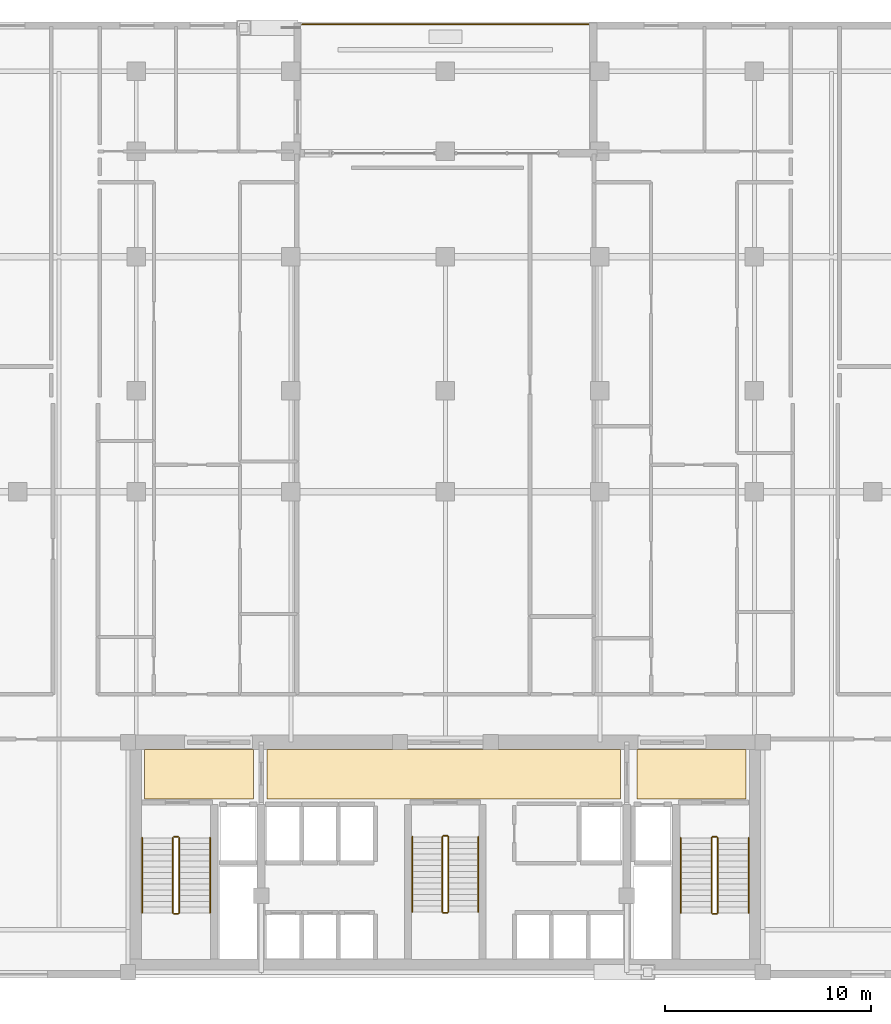
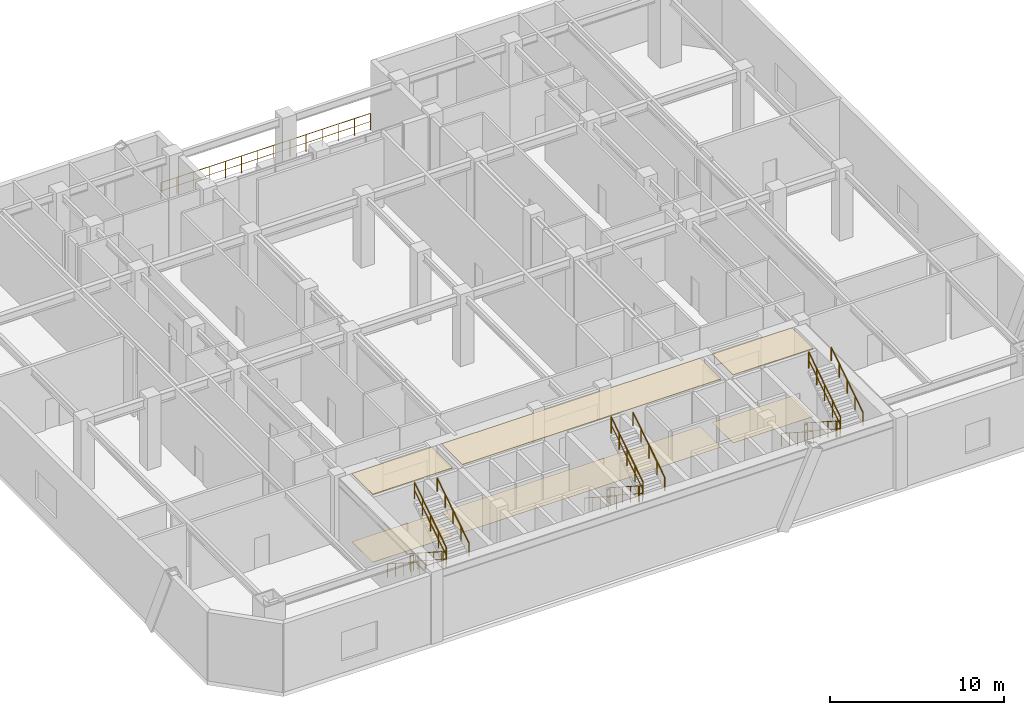
# One storey, part 12 of 12: 19 railings, 6 coverings.
"""IFC4 building model written with IfcOpenShell, lengths in metres."""

from ifc_helpers import new_model, si_unit, direction, frame, origin, origin_2d, place, context, subcontext, project, spatial, polyline, circle, outline, extrude, material, layer, layer_set, type_object, element, save


model = new_model("IFC4")

# Units and contexts
model_context = context("Model", 3, precision=1e-05, world=origin(), true_north=direction((0.0, 1.0)))
body_context = subcontext(model_context, "Body", "Model", "MODEL_VIEW")
ifc_project = project(units=[si_unit("LENGTHUNIT", "METRE"), si_unit("AREAUNIT", "SQUARE_METRE"), si_unit("VOLUMEUNIT", "CUBIC_METRE"), si_unit("PLANEANGLEUNIT", "RADIAN"), si_unit("MASSUNIT", "GRAM", prefix="KILO")], contexts=[model_context])

# Site, building, storey
site_placement = place(None, origin())
site = spatial("IfcSite", under=ifc_project, at=site_placement, CompositionType="ELEMENT")
building_placement = place(site_placement, origin())
building = spatial("IfcBuilding", under=site, at=building_placement, Name="Ventersveld Concourse Tower", CompositionType="ELEMENT")
storey_placement = place(building_placement, frame((0.0, 0.0, 76.0)))
storey = spatial("IfcBuildingStorey", under=building, at=storey_placement, Name="L18", CompositionType="ELEMENT", Elevation=76.0)

# Coverings
ifc_material_1 = material(Name="Mineral-fibre acoustic ceiling tile", Category="gypsum")
ifc_layer_1 = layer(ifc_material_1, 0.0400390625)
ifc_layer_set_1 = layer_set([ifc_layer_1], Name="Mineral-fibre acoustic ceiling tile")
covering_type_1 = type_object("IfcCoveringType", Name="COV-CEIL-ACOUSTIC", PredefinedType="CEILING", material=ifc_layer_set_1)
covering_1_placement = place(storey_placement, frame((0.0, 0.0, 4.760009765625)))
element("IfcCovering", 1, at=covering_1_placement, inside=storey, type_object=covering_type_1, Name="L18 North Lift Lobby Acoustic Ceiling", PredefinedType="CEILING", context=body_context, shape_type="SweptSolid", body=[
    extrude(outline(polyline([(20.10009765625, 8.699951171875), (37.25, 8.699951171875), (37.25, 11.10009765625), (20.10009765625, 11.10009765625), (20.10009765625, 8.699951171875)])), origin(), (0.0, 0.0, 1.0), 0.0400390625),
])
covering_2_placement = place(storey_placement, frame((0.0, 0.0, 4.760009765625)))
element("IfcCovering", 2, at=covering_2_placement, inside=storey, type_object=covering_type_1, Name="L18 West Firefighting Lobby Acoustic Ceiling", PredefinedType="CEILING", context=body_context, shape_type="SweptSolid", body=[
    extrude(outline(polyline([(14.14990234375, 8.699951171875), (19.449951171875, 8.699951171875), (19.449951171875, 11.10009765625), (14.14990234375, 11.10009765625), (14.14990234375, 8.699951171875)])), origin(), (0.0, 0.0, 1.0), 0.0400390625),
])
covering_3_placement = place(storey_placement, frame((0.0, 0.0, 4.760009765625)))
element("IfcCovering", 3, at=covering_3_placement, inside=storey, type_object=covering_type_1, Name="L18 East Firefighting Lobby Acoustic Ceiling", PredefinedType="CEILING", context=body_context, shape_type="SweptSolid", body=[
    extrude(outline(polyline([(38.050048828125, 8.699951171875), (43.35009765625, 8.699951171875), (43.35009765625, 11.10009765625), (38.050048828125, 11.10009765625), (38.050048828125, 8.699951171875)])), origin(), (0.0, 0.0, 1.0), 0.0400390625),
])
ifc_material_2 = material(Name="Polished Highveld granite terrazzo", Category="masonry")
ifc_layer_2 = layer(ifc_material_2, 0.02001953125)
ifc_layer_set_2 = layer_set([ifc_layer_2], Name="Polished Highveld granite terrazzo")
covering_type_2 = type_object("IfcCoveringType", Name="COV-FLOOR-TERRAZZO", PredefinedType="FLOORING", material=ifc_layer_set_2)
covering_4_placement = place(storey_placement, origin())
element("IfcCovering", 4, at=covering_4_placement, inside=storey, type_object=covering_type_2, Name="L18 North Lift Lobby Terrazzo Flooring", PredefinedType="FLOORING", context=body_context, shape_type="SweptSolid", body=[
    extrude(outline(polyline([(20.10009765625, 8.699951171875), (37.25, 8.699951171875), (37.25, 11.10009765625), (20.10009765625, 11.10009765625), (20.10009765625, 8.699951171875)])), origin(), (0.0, 0.0, 1.0), 0.02001953125),
])
covering_5_placement = place(storey_placement, origin())
element("IfcCovering", 5, at=covering_5_placement, inside=storey, type_object=covering_type_2, Name="L18 West Firefighting Lobby Terrazzo Flooring", PredefinedType="FLOORING", context=body_context, shape_type="SweptSolid", body=[
    extrude(outline(polyline([(14.14990234375, 8.699951171875), (19.449951171875, 8.699951171875), (19.449951171875, 11.10009765625), (14.14990234375, 11.10009765625), (14.14990234375, 8.699951171875)])), origin(), (0.0, 0.0, 1.0), 0.02001953125),
])
covering_6_placement = place(storey_placement, origin())
element("IfcCovering", 6, at=covering_6_placement, inside=storey, type_object=covering_type_2, Name="L18 East Firefighting Lobby Terrazzo Flooring", PredefinedType="FLOORING", context=body_context, shape_type="SweptSolid", body=[
    extrude(outline(polyline([(38.050048828125, 8.699951171875), (43.35009765625, 8.699951171875), (43.35009765625, 11.10009765625), (38.050048828125, 11.10009765625), (38.050048828125, 8.699951171875)])), origin(), (0.0, 0.0, 1.0), 0.02001953125),
])

# Railings
ifc_material_3 = material(Name="Brushed stainless steel 316", Category="steel")
railing_type_1 = type_object("IfcRailingType", Name="GD-BAL-115", PredefinedType="GUARDRAIL", material=ifc_material_3)
railing_1_placement = place(storey_placement, frame((15.530029296875, 6.800048828125, 0.180419921875)))
element("IfcRailing", 7, at=railing_1_placement, inside=storey, type_object=railing_type_1, Name="L18 ST-01 stair guard 1", PredefinedType="GUARDRAIL", context=body_context, shape_type="SweptSolid", body=[
    extrude(circle(Radius=0.02392578125, at=origin_2d()), frame((0.0, 0.0, 1.1259765625), z_axis=(0.0, -0.840716495035, 0.541475553442), x_axis=(1.0, 0.0, 0.0)), (0.0, 0.0, 1.0), 4.329833984375),
    extrude(circle(Radius=0.01611328125, at=origin_2d()), frame((0.0, 0.0, 0.574951171875), z_axis=(0.0, -0.840716495035, 0.541475553442), x_axis=(1.0, 0.0, 0.0)), (0.0, 0.0, 1.0), 4.329833984375),
    extrude(circle(Radius=0.02099609375, at=origin_2d()), origin(), (0.0, 0.0, 1.0), 1.101806640625),
    extrude(circle(Radius=0.02099609375, at=origin_2d()), frame((0.0, -0.91015625, 0.586181640625)), (0.0, 0.0, 1.0), 1.101806640625),
    extrude(circle(Radius=0.02099609375, at=origin_2d()), frame((0.0, -1.820068359375, 1.17236328125)), (0.0, 0.0, 1.0), 1.101806640625),
    extrude(circle(Radius=0.02099609375, at=origin_2d()), frame((0.0, -2.72998046875, 1.75830078125)), (0.0, 0.0, 1.0), 1.101806640625),
    extrude(circle(Radius=0.02099609375, at=origin_2d()), frame((0.0, -3.64013671875, 2.344482421875)), (0.0, 0.0, 1.0), 1.101806640625),
])
railing_2_placement = place(storey_placement, frame((15.580078125, 3.110107421875, 2.52490234375)))
element("IfcRailing", 8, at=railing_2_placement, inside=storey, type_object=railing_type_1, Name="L18 ST-01 stair guard 2", PredefinedType="GUARDRAIL", context=body_context, shape_type="SweptSolid", body=[
    extrude(circle(Radius=0.02392578125, at=origin_2d()), frame((0.0, 0.0, 1.1259765625), z_axis=(1.0, 0.0, 0.0), x_axis=(0.0, 1.0, 0.0)), (0.0, 0.0, 1.0), 0.199951171875),
    extrude(circle(Radius=0.01611328125, at=origin_2d()), frame((0.0, 0.0, 0.574951171875), z_axis=(1.0, 0.0, 0.0), x_axis=(0.0, 1.0, 0.0)), (0.0, 0.0, 1.0), 0.199951171875),
    extrude(circle(Radius=0.02099609375, at=origin_2d()), origin(), (0.0, 0.0, 1.0), 1.101806640625),
    extrude(circle(Radius=0.02099609375, at=origin_2d()), frame((0.199951171875, 0.0, 0.0)), (0.0, 0.0, 1.0), 1.101806640625),
])
railing_3_placement = place(storey_placement, frame((15.830078125, 3.159912109375, 2.705322265625)))
element("IfcRailing", 9, at=railing_3_placement, inside=storey, type_object=railing_type_1, Name="L18 ST-01 stair guard 3", PredefinedType="GUARDRAIL", context=body_context, shape_type="SweptSolid", body=[
    extrude(circle(Radius=0.02392578125, at=origin_2d()), frame((0.0, 0.0, 1.1259765625), z_axis=(0.0, 0.840690826383, 0.541515405539), x_axis=(-1.0, 0.0, 0.0)), (0.0, 0.0, 1.0), 4.329833984375),
    extrude(circle(Radius=0.01611328125, at=origin_2d()), frame((0.0, 0.0, 0.574951171875), z_axis=(0.0, 0.840690826383, 0.541515405539), x_axis=(-1.0, 0.0, 0.0)), (0.0, 0.0, 1.0), 4.329833984375),
    extrude(circle(Radius=0.02099609375, at=origin_2d()), origin(), (0.0, 0.0, 1.0), 1.101806640625),
    extrude(circle(Radius=0.02099609375, at=origin_2d()), frame((0.0, 0.91015625, 0.586181640625)), (0.0, 0.0, 1.0), 1.101806640625),
    extrude(circle(Radius=0.02099609375, at=origin_2d()), frame((0.0, 1.820068359375, 1.17236328125)), (0.0, 0.0, 1.0), 1.101806640625),
    extrude(circle(Radius=0.02099609375, at=origin_2d()), frame((0.0, 2.72998046875, 1.758544921875)), (0.0, 0.0, 1.0), 1.101806640625),
    extrude(circle(Radius=0.02099609375, at=origin_2d()), frame((0.0, 3.64013671875, 2.3447265625)), (0.0, 0.0, 1.0), 1.101806640625),
])
railing_4_placement = place(storey_placement, frame((15.580078125, 6.85009765625, 0.0)))
element("IfcRailing", 10, at=railing_4_placement, inside=storey, type_object=railing_type_1, Name="L18 ST-01 stair guard 4", PredefinedType="GUARDRAIL", context=body_context, shape_type="SweptSolid", body=[
    extrude(circle(Radius=0.02392578125, at=origin_2d()), frame((0.0, 0.0, 1.1259765625), z_axis=(1.0, 0.0, 0.0), x_axis=(0.0, 1.0, 0.0)), (0.0, 0.0, 1.0), 0.199951171875),
    extrude(circle(Radius=0.01611328125, at=origin_2d()), frame((0.0, 0.0, 0.574951171875), z_axis=(1.0, 0.0, 0.0), x_axis=(0.0, 1.0, 0.0)), (0.0, 0.0, 1.0), 0.199951171875),
    extrude(circle(Radius=0.02099609375, at=origin_2d()), origin(), (0.0, 0.0, 1.0), 1.101806640625),
    extrude(circle(Radius=0.02099609375, at=origin_2d()), frame((0.199951171875, 0.0, 0.0)), (0.0, 0.0, 1.0), 1.101806640625),
])
railing_5_placement = place(storey_placement, frame((41.669921875, 6.800048828125, 0.180419921875)))
element("IfcRailing", 11, at=railing_5_placement, inside=storey, type_object=railing_type_1, Name="L18 ST-02 stair guard 1", PredefinedType="GUARDRAIL", context=body_context, shape_type="SweptSolid", body=[
    extrude(circle(Radius=0.02392578125, at=origin_2d()), frame((0.0, 0.0, 1.1259765625), z_axis=(0.0, -0.840716495035, 0.541475553442), x_axis=(1.0, 0.0, 0.0)), (0.0, 0.0, 1.0), 4.329833984375),
    extrude(circle(Radius=0.01611328125, at=origin_2d()), frame((0.0, 0.0, 0.574951171875), z_axis=(0.0, -0.840716495035, 0.541475553442), x_axis=(1.0, 0.0, 0.0)), (0.0, 0.0, 1.0), 4.329833984375),
    extrude(circle(Radius=0.02099609375, at=origin_2d()), origin(), (0.0, 0.0, 1.0), 1.101806640625),
    extrude(circle(Radius=0.02099609375, at=origin_2d()), frame((0.0, -0.91015625, 0.586181640625)), (0.0, 0.0, 1.0), 1.101806640625),
    extrude(circle(Radius=0.02099609375, at=origin_2d()), frame((0.0, -1.820068359375, 1.17236328125)), (0.0, 0.0, 1.0), 1.101806640625),
    extrude(circle(Radius=0.02099609375, at=origin_2d()), frame((0.0, -2.72998046875, 1.75830078125)), (0.0, 0.0, 1.0), 1.101806640625),
    extrude(circle(Radius=0.02099609375, at=origin_2d()), frame((0.0, -3.64013671875, 2.344482421875)), (0.0, 0.0, 1.0), 1.101806640625),
])
railing_6_placement = place(storey_placement, frame((41.719970703125, 3.110107421875, 2.52490234375)))
element("IfcRailing", 12, at=railing_6_placement, inside=storey, type_object=railing_type_1, Name="L18 ST-02 stair guard 2", PredefinedType="GUARDRAIL", context=body_context, shape_type="SweptSolid", body=[
    extrude(circle(Radius=0.02392578125, at=origin_2d()), frame((0.0, 0.0, 1.1259765625), z_axis=(1.0, 0.0, 0.0), x_axis=(0.0, 1.0, 0.0)), (0.0, 0.0, 1.0), 0.199951171875),
    extrude(circle(Radius=0.01611328125, at=origin_2d()), frame((0.0, 0.0, 0.574951171875), z_axis=(1.0, 0.0, 0.0), x_axis=(0.0, 1.0, 0.0)), (0.0, 0.0, 1.0), 0.199951171875),
    extrude(circle(Radius=0.02099609375, at=origin_2d()), origin(), (0.0, 0.0, 1.0), 1.101806640625),
    extrude(circle(Radius=0.02099609375, at=origin_2d()), frame((0.199951171875, 0.0, 0.0)), (0.0, 0.0, 1.0), 1.101806640625),
])
railing_7_placement = place(storey_placement, frame((41.969970703125, 3.159912109375, 2.705322265625)))
element("IfcRailing", 13, at=railing_7_placement, inside=storey, type_object=railing_type_1, Name="L18 ST-02 stair guard 3", PredefinedType="GUARDRAIL", context=body_context, shape_type="SweptSolid", body=[
    extrude(circle(Radius=0.02392578125, at=origin_2d()), frame((0.0, 0.0, 1.1259765625), z_axis=(0.0, 0.840690826383, 0.541515405539), x_axis=(-1.0, 0.0, 0.0)), (0.0, 0.0, 1.0), 4.329833984375),
    extrude(circle(Radius=0.01611328125, at=origin_2d()), frame((0.0, 0.0, 0.574951171875), z_axis=(0.0, 0.840690826383, 0.541515405539), x_axis=(-1.0, 0.0, 0.0)), (0.0, 0.0, 1.0), 4.329833984375),
    extrude(circle(Radius=0.02099609375, at=origin_2d()), origin(), (0.0, 0.0, 1.0), 1.101806640625),
    extrude(circle(Radius=0.02099609375, at=origin_2d()), frame((0.0, 0.91015625, 0.586181640625)), (0.0, 0.0, 1.0), 1.101806640625),
    extrude(circle(Radius=0.02099609375, at=origin_2d()), frame((0.0, 1.820068359375, 1.17236328125)), (0.0, 0.0, 1.0), 1.101806640625),
    extrude(circle(Radius=0.02099609375, at=origin_2d()), frame((0.0, 2.72998046875, 1.758544921875)), (0.0, 0.0, 1.0), 1.101806640625),
    extrude(circle(Radius=0.02099609375, at=origin_2d()), frame((0.0, 3.64013671875, 2.3447265625)), (0.0, 0.0, 1.0), 1.101806640625),
])
railing_8_placement = place(storey_placement, frame((41.719970703125, 6.85009765625, 0.0)))
element("IfcRailing", 14, at=railing_8_placement, inside=storey, type_object=railing_type_1, Name="L18 ST-02 stair guard 4", PredefinedType="GUARDRAIL", context=body_context, shape_type="SweptSolid", body=[
    extrude(circle(Radius=0.02392578125, at=origin_2d()), frame((0.0, 0.0, 1.1259765625), z_axis=(1.0, 0.0, 0.0), x_axis=(0.0, 1.0, 0.0)), (0.0, 0.0, 1.0), 0.199951171875),
    extrude(circle(Radius=0.01611328125, at=origin_2d()), frame((0.0, 0.0, 0.574951171875), z_axis=(1.0, 0.0, 0.0), x_axis=(0.0, 1.0, 0.0)), (0.0, 0.0, 1.0), 0.199951171875),
    extrude(circle(Radius=0.02099609375, at=origin_2d()), origin(), (0.0, 0.0, 1.0), 1.101806640625),
    extrude(circle(Radius=0.02099609375, at=origin_2d()), frame((0.199951171875, 0.0, 0.0)), (0.0, 0.0, 1.0), 1.101806640625),
])
railing_9_placement = place(storey_placement, frame((28.60009765625, 6.85009765625, 0.180419921875)))
element("IfcRailing", 15, at=railing_9_placement, inside=storey, type_object=railing_type_1, Name="L18 ST-03 stair guard 1", PredefinedType="GUARDRAIL", context=body_context, shape_type="SweptSolid", body=[
    extrude(circle(Radius=0.02392578125, at=origin_2d()), frame((0.0, 0.0, 1.1259765625), z_axis=(0.0, -0.840716495035, 0.541475553442), x_axis=(1.0, 0.0, 0.0)), (0.0, 0.0, 1.0), 4.329833984375),
    extrude(circle(Radius=0.01611328125, at=origin_2d()), frame((0.0, 0.0, 0.574951171875), z_axis=(0.0, -0.840716495035, 0.541475553442), x_axis=(1.0, 0.0, 0.0)), (0.0, 0.0, 1.0), 4.329833984375),
    extrude(circle(Radius=0.02099609375, at=origin_2d()), origin(), (0.0, 0.0, 1.0), 1.101806640625),
    extrude(circle(Radius=0.02099609375, at=origin_2d()), frame((0.0, -0.91015625, 0.586181640625)), (0.0, 0.0, 1.0), 1.101806640625),
    extrude(circle(Radius=0.02099609375, at=origin_2d()), frame((0.0, -1.820068359375, 1.17236328125)), (0.0, 0.0, 1.0), 1.101806640625),
    extrude(circle(Radius=0.02099609375, at=origin_2d()), frame((0.0, -2.72998046875, 1.75830078125)), (0.0, 0.0, 1.0), 1.101806640625),
    extrude(circle(Radius=0.02099609375, at=origin_2d()), frame((0.0, -3.64013671875, 2.344482421875)), (0.0, 0.0, 1.0), 1.101806640625),
])
railing_10_placement = place(storey_placement, frame((28.64990234375, 3.159912109375, 2.52490234375)))
element("IfcRailing", 16, at=railing_10_placement, inside=storey, type_object=railing_type_1, Name="L18 ST-03 stair guard 2", PredefinedType="GUARDRAIL", context=body_context, shape_type="SweptSolid", body=[
    extrude(circle(Radius=0.02392578125, at=origin_2d()), frame((0.0, 0.0, 1.1259765625), z_axis=(1.0, 0.0, 0.0), x_axis=(0.0, 1.0, 0.0)), (0.0, 0.0, 1.0), 0.2001953125),
    extrude(circle(Radius=0.01611328125, at=origin_2d()), frame((0.0, 0.0, 0.574951171875), z_axis=(1.0, 0.0, 0.0), x_axis=(0.0, 1.0, 0.0)), (0.0, 0.0, 1.0), 0.2001953125),
    extrude(circle(Radius=0.02099609375, at=origin_2d()), origin(), (0.0, 0.0, 1.0), 1.101806640625),
    extrude(circle(Radius=0.02099609375, at=origin_2d()), frame((0.2001953125, 0.0, 0.0)), (0.0, 0.0, 1.0), 1.101806640625),
])
railing_11_placement = place(storey_placement, frame((28.89990234375, 3.2099609375, 2.705322265625)))
element("IfcRailing", 17, at=railing_11_placement, inside=storey, type_object=railing_type_1, Name="L18 ST-03 stair guard 3", PredefinedType="GUARDRAIL", context=body_context, shape_type="SweptSolid", body=[
    extrude(circle(Radius=0.02392578125, at=origin_2d()), frame((0.0, 0.0, 1.1259765625), z_axis=(0.0, 0.840690826383, 0.541515405539), x_axis=(-1.0, 0.0, 0.0)), (0.0, 0.0, 1.0), 4.329833984375),
    extrude(circle(Radius=0.01611328125, at=origin_2d()), frame((0.0, 0.0, 0.574951171875), z_axis=(0.0, 0.840690826383, 0.541515405539), x_axis=(-1.0, 0.0, 0.0)), (0.0, 0.0, 1.0), 4.329833984375),
    extrude(circle(Radius=0.02099609375, at=origin_2d()), origin(), (0.0, 0.0, 1.0), 1.101806640625),
    extrude(circle(Radius=0.02099609375, at=origin_2d()), frame((0.0, 0.91015625, 0.586181640625)), (0.0, 0.0, 1.0), 1.101806640625),
    extrude(circle(Radius=0.02099609375, at=origin_2d()), frame((0.0, 1.820068359375, 1.17236328125)), (0.0, 0.0, 1.0), 1.101806640625),
    extrude(circle(Radius=0.02099609375, at=origin_2d()), frame((0.0, 2.72998046875, 1.758544921875)), (0.0, 0.0, 1.0), 1.101806640625),
    extrude(circle(Radius=0.02099609375, at=origin_2d()), frame((0.0, 3.64013671875, 2.3447265625)), (0.0, 0.0, 1.0), 1.101806640625),
])
railing_12_placement = place(storey_placement, frame((28.64990234375, 6.89990234375, 0.0)))
element("IfcRailing", 18, at=railing_12_placement, inside=storey, type_object=railing_type_1, Name="L18 ST-03 stair guard 4", PredefinedType="GUARDRAIL", context=body_context, shape_type="SweptSolid", body=[
    extrude(circle(Radius=0.02392578125, at=origin_2d()), frame((0.0, 0.0, 1.1259765625), z_axis=(1.0, 0.0, 0.0), x_axis=(0.0, 1.0, 0.0)), (0.0, 0.0, 1.0), 0.2001953125),
    extrude(circle(Radius=0.01611328125, at=origin_2d()), frame((0.0, 0.0, 0.574951171875), z_axis=(1.0, 0.0, 0.0), x_axis=(0.0, 1.0, 0.0)), (0.0, 0.0, 1.0), 0.2001953125),
    extrude(circle(Radius=0.02099609375, at=origin_2d()), origin(), (0.0, 0.0, 1.0), 1.101806640625),
    extrude(circle(Radius=0.02099609375, at=origin_2d()), frame((0.2001953125, 0.0, 0.0)), (0.0, 0.0, 1.0), 1.101806640625),
])
railing_type_2 = type_object("IfcRailingType", Name="GD-TER-120", PredefinedType="GUARDRAIL", material=ifc_material_3)
railing_13_placement = place(storey_placement, frame((21.800048828125, 46.280029296875, 0.0)))
element("IfcRailing", 19, at=railing_13_placement, inside=storey, type_object=railing_type_2, Name="L18 Outdoor Terrace Guardrail SKYGARDEN", PredefinedType="GUARDRAIL", context=body_context, shape_type="SweptSolid", body=[
    extrude(circle(Radius=0.02392578125, at=origin_2d()), frame((0.0, 0.0, 1.17578125), z_axis=(1.0, 0.0, 0.0), x_axis=(0.0, 1.0, 0.0)), (0.0, 0.0, 1.0), 13.89990234375),
    extrude(circle(Radius=0.01611328125, at=origin_2d()), frame((0.0, 0.0, 0.60009765625), z_axis=(1.0, 0.0, 0.0), x_axis=(0.0, 1.0, 0.0)), (0.0, 0.0, 1.0), 13.89990234375),
    extrude(circle(Radius=0.02099609375, at=origin_2d()), origin(), (0.0, 0.0, 1.0), 1.15185546875),
    extrude(circle(Radius=0.02099609375, at=origin_2d()), frame((1.0693359375, 0.0, 0.0)), (0.0, 0.0, 1.0), 1.15185546875),
    extrude(circle(Radius=0.02099609375, at=origin_2d()), frame((2.138427734375, 0.0, 0.0)), (0.0, 0.0, 1.0), 1.15185546875),
    extrude(circle(Radius=0.02099609375, at=origin_2d()), frame((3.207763671875, 0.0, 0.0)), (0.0, 0.0, 1.0), 1.15185546875),
    extrude(circle(Radius=0.02099609375, at=origin_2d()), frame((4.27685546875, 0.0, 0.0)), (0.0, 0.0, 1.0), 1.15185546875),
    extrude(circle(Radius=0.02099609375, at=origin_2d()), frame((5.34619140625, 0.0, 0.0)), (0.0, 0.0, 1.0), 1.15185546875),
    extrude(circle(Radius=0.02099609375, at=origin_2d()), frame((6.415283203125, 0.0, 0.0)), (0.0, 0.0, 1.0), 1.15185546875),
    extrude(circle(Radius=0.02099609375, at=origin_2d()), frame((7.484619140625, 0.0, 0.0)), (0.0, 0.0, 1.0), 1.15185546875),
    extrude(circle(Radius=0.02099609375, at=origin_2d()), frame((8.5537109375, 0.0, 0.0)), (0.0, 0.0, 1.0), 1.15185546875),
    extrude(circle(Radius=0.02099609375, at=origin_2d()), frame((9.623046875, 0.0, 0.0)), (0.0, 0.0, 1.0), 1.15185546875),
    extrude(circle(Radius=0.02099609375, at=origin_2d()), frame((10.692138671875, 0.0, 0.0)), (0.0, 0.0, 1.0), 1.15185546875),
    extrude(circle(Radius=0.02099609375, at=origin_2d()), frame((11.761474609375, 0.0, 0.0)), (0.0, 0.0, 1.0), 1.15185546875),
    extrude(circle(Radius=0.02099609375, at=origin_2d()), frame((12.83056640625, 0.0, 0.0)), (0.0, 0.0, 1.0), 1.15185546875),
    extrude(circle(Radius=0.02099609375, at=origin_2d()), frame((13.89990234375, 0.0, 0.0)), (0.0, 0.0, 1.0), 1.15185546875),
])
railing_type_3 = type_object("IfcRailingType", Name="HR-RMP-095", PredefinedType="HANDRAIL", material=ifc_material_3)
railing_14_placement = place(storey_placement, frame((14.030029296875, 6.800048828125, 0.180419921875)))
element("IfcRailing", 20, at=railing_14_placement, inside=storey, type_object=railing_type_3, Name="L18 ST-01 stair handrail 1", PredefinedType="HANDRAIL", context=body_context, shape_type="SweptSolid", body=[
    extrude(circle(Radius=0.02392578125, at=origin_2d()), frame((0.0, 0.0, 0.92578125), z_axis=(0.0, -0.840716495035, 0.541475553442), x_axis=(1.0, 0.0, 0.0)), (0.0, 0.0, 1.0), 4.329833984375),
    extrude(circle(Radius=0.02099609375, at=origin_2d()), origin(), (0.0, 0.0, 1.0), 0.90185546875),
    extrude(circle(Radius=0.02099609375, at=origin_2d()), frame((0.0, -0.91015625, 0.586181640625)), (0.0, 0.0, 1.0), 0.90185546875),
    extrude(circle(Radius=0.02099609375, at=origin_2d()), frame((0.0, -1.820068359375, 1.17236328125)), (0.0, 0.0, 1.0), 0.90185546875),
    extrude(circle(Radius=0.02099609375, at=origin_2d()), frame((0.0, -2.72998046875, 1.75830078125)), (0.0, 0.0, 1.0), 0.90185546875),
    extrude(circle(Radius=0.02099609375, at=origin_2d()), frame((0.0, -3.64013671875, 2.344482421875)), (0.0, 0.0, 1.0), 0.90185546875),
])
railing_15_placement = place(storey_placement, frame((17.330078125, 3.159912109375, 2.705322265625)))
element("IfcRailing", 21, at=railing_15_placement, inside=storey, type_object=railing_type_3, Name="L18 ST-01 stair handrail 2", PredefinedType="HANDRAIL", context=body_context, shape_type="SweptSolid", body=[
    extrude(circle(Radius=0.02392578125, at=origin_2d()), frame((0.0, 0.0, 0.92578125), z_axis=(0.0, 0.840690826383, 0.541515405539), x_axis=(-1.0, 0.0, 0.0)), (0.0, 0.0, 1.0), 4.329833984375),
    extrude(circle(Radius=0.02099609375, at=origin_2d()), origin(), (0.0, 0.0, 1.0), 0.90185546875),
    extrude(circle(Radius=0.02099609375, at=origin_2d()), frame((0.0, 0.91015625, 0.586181640625)), (0.0, 0.0, 1.0), 0.90185546875),
    extrude(circle(Radius=0.02099609375, at=origin_2d()), frame((0.0, 1.820068359375, 1.17236328125)), (0.0, 0.0, 1.0), 0.90185546875),
    extrude(circle(Radius=0.02099609375, at=origin_2d()), frame((0.0, 2.72998046875, 1.758544921875)), (0.0, 0.0, 1.0), 0.90185546875),
    extrude(circle(Radius=0.02099609375, at=origin_2d()), frame((0.0, 3.64013671875, 2.3447265625)), (0.0, 0.0, 1.0), 0.90185546875),
])
railing_16_placement = place(storey_placement, frame((40.169921875, 6.800048828125, 0.180419921875)))
element("IfcRailing", 22, at=railing_16_placement, inside=storey, type_object=railing_type_3, Name="L18 ST-02 stair handrail 1", PredefinedType="HANDRAIL", context=body_context, shape_type="SweptSolid", body=[
    extrude(circle(Radius=0.02392578125, at=origin_2d()), frame((0.0, 0.0, 0.92578125), z_axis=(0.0, -0.840716495035, 0.541475553442), x_axis=(1.0, 0.0, 0.0)), (0.0, 0.0, 1.0), 4.329833984375),
    extrude(circle(Radius=0.02099609375, at=origin_2d()), origin(), (0.0, 0.0, 1.0), 0.90185546875),
    extrude(circle(Radius=0.02099609375, at=origin_2d()), frame((0.0, -0.91015625, 0.586181640625)), (0.0, 0.0, 1.0), 0.90185546875),
    extrude(circle(Radius=0.02099609375, at=origin_2d()), frame((0.0, -1.820068359375, 1.17236328125)), (0.0, 0.0, 1.0), 0.90185546875),
    extrude(circle(Radius=0.02099609375, at=origin_2d()), frame((0.0, -2.72998046875, 1.75830078125)), (0.0, 0.0, 1.0), 0.90185546875),
    extrude(circle(Radius=0.02099609375, at=origin_2d()), frame((0.0, -3.64013671875, 2.344482421875)), (0.0, 0.0, 1.0), 0.90185546875),
])
railing_17_placement = place(storey_placement, frame((43.469970703125, 3.159912109375, 2.705322265625)))
element("IfcRailing", 23, at=railing_17_placement, inside=storey, type_object=railing_type_3, Name="L18 ST-02 stair handrail 2", PredefinedType="HANDRAIL", context=body_context, shape_type="SweptSolid", body=[
    extrude(circle(Radius=0.02392578125, at=origin_2d()), frame((0.0, 0.0, 0.92578125), z_axis=(0.0, 0.840690826383, 0.541515405539), x_axis=(-1.0, 0.0, 0.0)), (0.0, 0.0, 1.0), 4.329833984375),
    extrude(circle(Radius=0.02099609375, at=origin_2d()), origin(), (0.0, 0.0, 1.0), 0.90185546875),
    extrude(circle(Radius=0.02099609375, at=origin_2d()), frame((0.0, 0.91015625, 0.586181640625)), (0.0, 0.0, 1.0), 0.90185546875),
    extrude(circle(Radius=0.02099609375, at=origin_2d()), frame((0.0, 1.820068359375, 1.17236328125)), (0.0, 0.0, 1.0), 0.90185546875),
    extrude(circle(Radius=0.02099609375, at=origin_2d()), frame((0.0, 2.72998046875, 1.758544921875)), (0.0, 0.0, 1.0), 0.90185546875),
    extrude(circle(Radius=0.02099609375, at=origin_2d()), frame((0.0, 3.64013671875, 2.3447265625)), (0.0, 0.0, 1.0), 0.90185546875),
])
railing_18_placement = place(storey_placement, frame((27.14990234375, 6.85009765625, 0.180419921875)))
element("IfcRailing", 24, at=railing_18_placement, inside=storey, type_object=railing_type_3, Name="L18 ST-03 stair handrail 1", PredefinedType="HANDRAIL", context=body_context, shape_type="SweptSolid", body=[
    extrude(circle(Radius=0.02392578125, at=origin_2d()), frame((0.0, 0.0, 0.92578125), z_axis=(0.0, -0.840716495035, 0.541475553442), x_axis=(1.0, 0.0, 0.0)), (0.0, 0.0, 1.0), 4.329833984375),
    extrude(circle(Radius=0.02099609375, at=origin_2d()), origin(), (0.0, 0.0, 1.0), 0.90185546875),
    extrude(circle(Radius=0.02099609375, at=origin_2d()), frame((0.0, -0.91015625, 0.586181640625)), (0.0, 0.0, 1.0), 0.90185546875),
    extrude(circle(Radius=0.02099609375, at=origin_2d()), frame((0.0, -1.820068359375, 1.17236328125)), (0.0, 0.0, 1.0), 0.90185546875),
    extrude(circle(Radius=0.02099609375, at=origin_2d()), frame((0.0, -2.72998046875, 1.75830078125)), (0.0, 0.0, 1.0), 0.90185546875),
    extrude(circle(Radius=0.02099609375, at=origin_2d()), frame((0.0, -3.64013671875, 2.344482421875)), (0.0, 0.0, 1.0), 0.90185546875),
])
railing_19_placement = place(storey_placement, frame((30.35009765625, 3.2099609375, 2.705322265625)))
element("IfcRailing", 25, at=railing_19_placement, inside=storey, type_object=railing_type_3, Name="L18 ST-03 stair handrail 2", PredefinedType="HANDRAIL", context=body_context, shape_type="SweptSolid", body=[
    extrude(circle(Radius=0.02392578125, at=origin_2d()), frame((0.0, 0.0, 0.92578125), z_axis=(0.0, 0.840690826383, 0.541515405539), x_axis=(-1.0, 0.0, 0.0)), (0.0, 0.0, 1.0), 4.329833984375),
    extrude(circle(Radius=0.02099609375, at=origin_2d()), origin(), (0.0, 0.0, 1.0), 0.90185546875),
    extrude(circle(Radius=0.02099609375, at=origin_2d()), frame((0.0, 0.91015625, 0.586181640625)), (0.0, 0.0, 1.0), 0.90185546875),
    extrude(circle(Radius=0.02099609375, at=origin_2d()), frame((0.0, 1.820068359375, 1.17236328125)), (0.0, 0.0, 1.0), 0.90185546875),
    extrude(circle(Radius=0.02099609375, at=origin_2d()), frame((0.0, 2.72998046875, 1.758544921875)), (0.0, 0.0, 1.0), 0.90185546875),
    extrude(circle(Radius=0.02099609375, at=origin_2d()), frame((0.0, 3.64013671875, 2.3447265625)), (0.0, 0.0, 1.0), 0.90185546875),
])

save(model, "model.ifc")
